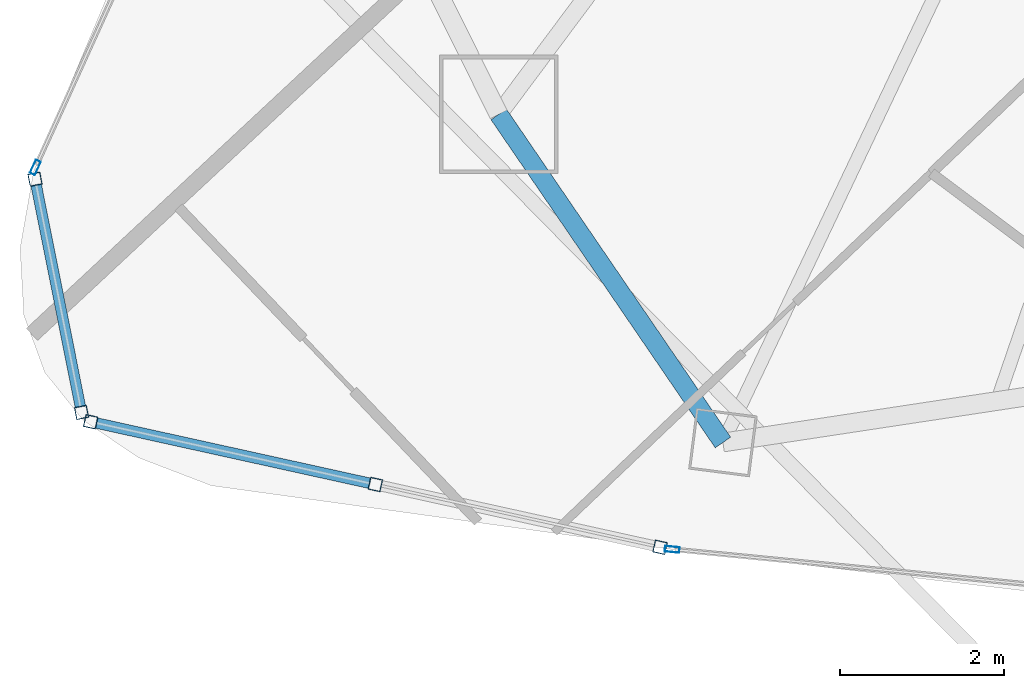
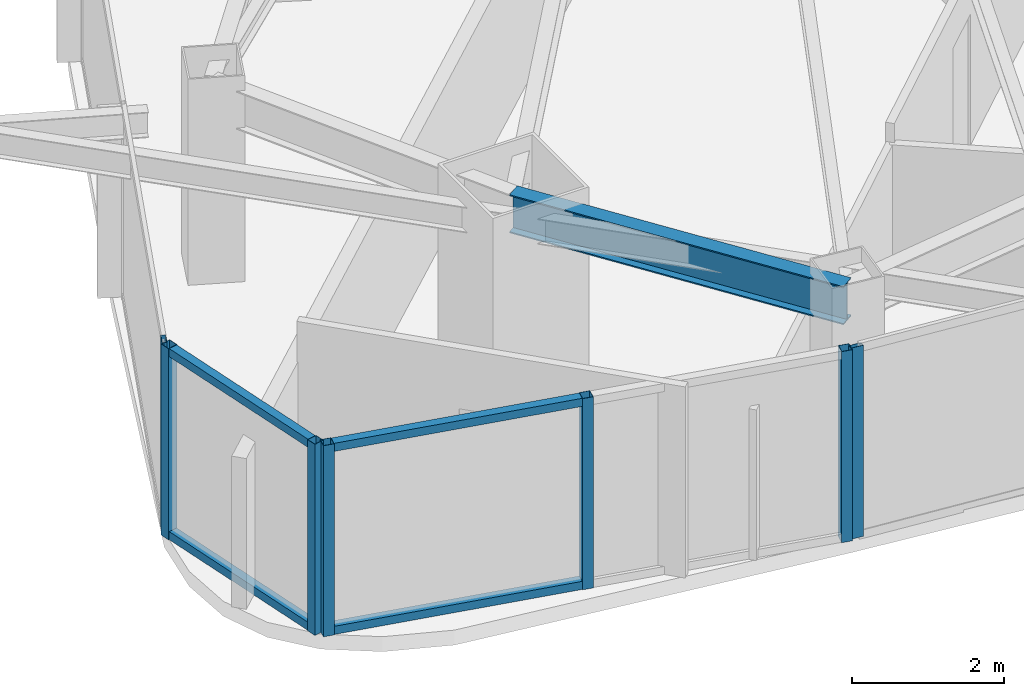
# One storey, part 2 of 29: 11 members, 1 beam, 4 elements without a shape of their own.
"""IFC4 building model written with IfcOpenShell, lengths in metres."""

import ifcopenshell
import ifcopenshell.guid

model = None  # the IFC model being written
_history = None  # IfcOwnerHistory: only IFC2X3 demands one
_inside = {}  # id of a spatial element -> (the spatial element, [elements in it])
_under = {}  # id of a project, library or spatial element -> (it, [spatial elements below it])
_declared = {}  # id of a project -> (the project, [libraries it declares])
_typed = {}  # id of a type object -> (the type object, [elements of that type])
_made_of = {}  # id of a material, layer set ... -> (it, [elements and type objects made of it])


def new_model(schema):
    """Start an empty IFC model of exactly this schema.

    Asked for "IFC4X3", IfcOpenShell would pick the latest addendum, in which some entities
    have other attributes; the version numbers below select the first issue.
    IFC2X3 requires an IfcOwnerHistory on every rooted entity: one is made here for all.
    """
    global model, _history
    if schema == "IFC4X3":
        model = ifcopenshell.file(schema_version=(4, 3, 0, 0))
    else:
        model = ifcopenshell.file(schema=schema)
    _inside.clear()
    _under.clear()
    _declared.clear()
    _typed.clear()
    _made_of.clear()
    _history = None
    if model.schema == "IFC2X3":
        org = make("IfcOrganization", Name="unknown")
        user = make(
            "IfcPersonAndOrganization",
            ThePerson=make("IfcPerson", FamilyName="unknown"),
            TheOrganization=org,
        )
        app = make(
            "IfcApplication",
            ApplicationDeveloper=org,
            Version="unknown",
            ApplicationFullName="unknown",
            ApplicationIdentifier="unknown",
        )
        _history = make(
            "IfcOwnerHistory",
            OwningUser=user,
            OwningApplication=app,
            ChangeAction="ADDED",
            CreationDate=0,
        )
    return model


def make(cls, **values):
    """One entity of the class cls with the attributes given. An attribute that is None is left unset."""
    return model.create_entity(
        cls, **{name: value for name, value in values.items() if value is not None}
    )


def rooted(cls, **values):
    """An entity with a GlobalId (a new one), such as an element, a storey or a relation."""
    return make(cls, GlobalId=ifcopenshell.guid.new(), OwnerHistory=_history, **values)


def si_unit(unit_type, name, prefix=None):
    """IfcSIUnit, for example si_unit("LENGTHUNIT", "METRE", prefix="MILLI")."""
    return make("IfcSIUnit", UnitType=unit_type, Prefix=prefix, Name=name)


def assignment(units):
    """IfcUnitAssignment: the units of a project."""
    return None if units is None else make("IfcUnitAssignment", Units=units)


def point(xyz):
    """IfcCartesianPoint."""
    return None if xyz is None else make("IfcCartesianPoint", Coordinates=xyz)


def direction(xyz):
    """IfcDirection."""
    return None if xyz is None else make("IfcDirection", DirectionRatios=xyz)


def frame(location, z_axis=None, x_axis=None):
    """IfcAxis2Placement3D, a coordinate frame: its origin and axes. An axis left out is left unset."""
    return make(
        "IfcAxis2Placement3D",
        Location=point(location),
        Axis=direction(z_axis),
        RefDirection=direction(x_axis),
    )


def frame_2d(location, x_axis=None):
    """IfcAxis2Placement2D, a coordinate frame in the plane: its origin and x axis."""
    return make(
        "IfcAxis2Placement2D", Location=point(location), RefDirection=direction(x_axis)
    )


def origin():
    """The frame at (0, 0, 0) with its axes left unset."""
    return frame((0.0, 0.0, 0.0))


def origin_2d():
    """The frame at (0, 0) in the plane with its x axis left unset."""
    return frame_2d((0.0, 0.0))


def place(relative_to, where):
    """IfcLocalPlacement: puts the frame where relative to a parent placement (None: the world)."""
    return make(
        "IfcLocalPlacement", PlacementRelTo=relative_to, RelativePlacement=where
    )


def context(
    kind, dimensions, precision=None, world=None, true_north=None, identifier=None
):
    """IfcGeometricRepresentationContext, for example the 3D "Model" context."""
    return make(
        "IfcGeometricRepresentationContext",
        ContextIdentifier=identifier,
        ContextType=kind,
        CoordinateSpaceDimension=dimensions,
        Precision=precision,
        WorldCoordinateSystem=world,
        TrueNorth=true_north,
    )


def subcontext(parent, identifier, kind, view, scale=None):
    """IfcGeometricRepresentationSubContext, for example "Body" below "Model"."""
    return make(
        "IfcGeometricRepresentationSubContext",
        ContextIdentifier=identifier,
        ContextType=kind,
        ParentContext=parent,
        TargetScale=scale,
        TargetView=view,
    )


def project(units=None, contexts=None):
    """IfcProject with its units and contexts."""
    return rooted(
        "IfcProject",
        Name="project",
        RepresentationContexts=contexts,
        UnitsInContext=assignment(units),
    )


def spatial(cls, under=None, at=None, **own):
    """A site, building, storey or space (cls), placed at a placement, below another one or the project."""
    s = rooted(cls, ObjectPlacement=at, **own)
    if under is not None:
        _under.setdefault(under.id(), (under, []))[1].append(s)
    return s


def profile(cls, at=None, kind="AREA", **sizes):
    """A parametric profile (cls). Its sizes go by their IFC names, for example OverallWidth=200.0."""
    return make(cls, ProfileType=kind, Position=at, **sizes)


def hollow_rectangle(**sizes):
    """IfcRectangleHollowProfileDef."""
    return profile("IfcRectangleHollowProfileDef", **sizes)


def i_section(**sizes):
    """IfcIShapeProfileDef."""
    return profile("IfcIShapeProfileDef", **sizes)


def extrude(swept, where, along, depth):
    """IfcExtrudedAreaSolid: the profile swept, set in the frame where, extruded along a direction by depth."""
    return make(
        "IfcExtrudedAreaSolid",
        SweptArea=swept,
        Position=where,
        ExtrudedDirection=direction(along),
        Depth=depth,
    )


def shape(context_of_items, identifier, shape_type, items):
    """IfcShapeRepresentation: the items that make up one representation, for example the "Body"."""
    return make(
        "IfcShapeRepresentation",
        ContextOfItems=context_of_items,
        RepresentationIdentifier=identifier,
        RepresentationType=shape_type,
        Items=items,
    )


def material(Name=None, Category=None):
    """IfcMaterial."""
    return make("IfcMaterial", Name=Name, Category=Category)


def layer(
    of_material, thickness, ventilated=None, Name=None, Category=None, Priority=None
):
    """IfcMaterialLayer: one layer of a wall or slab, of a material (None: an air gap)."""
    return make(
        "IfcMaterialLayer",
        Material=of_material,
        LayerThickness=thickness,
        IsVentilated=ventilated,
        Name=Name,
        Category=Category,
        Priority=Priority,
    )


def layer_set(layers, Name=None):
    """IfcMaterialLayerSet."""
    return make("IfcMaterialLayerSet", MaterialLayers=layers, LayerSetName=Name)


def material_profile(
    of_material, cross_section, Name=None, Category=None, Priority=None
):
    """IfcMaterialProfile: a cross section and its material."""
    return make(
        "IfcMaterialProfile",
        Name=Name,
        Material=of_material,
        Profile=cross_section,
        Priority=Priority,
        Category=Category,
    )


def profile_set(profiles, Name=None, composite=None):
    """IfcMaterialProfileSet."""
    return make(
        "IfcMaterialProfileSet",
        Name=Name,
        MaterialProfiles=profiles,
        CompositeProfile=composite,
    )


def made_of(thing, what):
    """Note that an element or type object is made of a material, layer set ...; save() writes the relation."""
    if what is not None:
        _made_of.setdefault(what.id(), (what, []))[1].append(thing)
    return thing


def type_object(cls, material=None, **own):
    """A type object (cls), such as IfcWallType, which elements share."""
    return made_of(rooted(cls, **own), material)


def element(
    cls,
    number,
    at=None,
    inside=None,
    cuts=None,
    type_object=None,
    material=None,
    context=None,
    identifier="Body",
    shape_type=None,
    held_by="IfcProductDefinitionShape",
    body=None,
    shapes=None,
    **own,
):
    """One element of the class cls, such as IfcWall. Its Tag is "e" and its number.

    at: its placement. inside: the storey or other place that contains it. cuts: it is an
    opening in that element (IfcRelVoidsElement). A single representation is given by context,
    identifier, shape_type and body (its items); several are given by shapes. held_by: the class
    of the entity that holds the representations. save() writes the other relations.
    """
    e = rooted(cls, Tag="e%d" % number, ObjectPlacement=at, **own)
    if body is not None:
        shapes = [shape(context, identifier, shape_type, body)]
    if shapes is not None:
        e.Representation = make(held_by, Representations=shapes)
    if inside is not None:
        _inside.setdefault(inside.id(), (inside, []))[1].append(e)
    if cuts is not None:
        rooted(
            "IfcRelVoidsElement", RelatingBuildingElement=cuts, RelatedOpeningElement=e
        )
    if type_object is not None:
        _typed.setdefault(type_object.id(), (type_object, []))[1].append(e)
    return made_of(e, material)


def aggregate(whole, parts):
    """IfcRelAggregates: a whole, such as a stair, and the parts it consists of."""
    return rooted("IfcRelAggregates", RelatingObject=whole, RelatedObjects=parts)


def save(model, path):
    """Write the relations noted so far, then the file.

    IfcRelAggregates (storeys below a building ...), IfcRelContainedInSpatialStructure (elements
    in a storey), IfcRelDefinesByType, IfcRelAssociatesMaterial and IfcRelDeclares: one each for
    every whole, place, type object, material and project.
    """
    for whole, parts in _under.values():
        aggregate(whole, parts)
    for where, things in _inside.values():
        rooted(
            "IfcRelContainedInSpatialStructure",
            RelatedElements=things,
            RelatingStructure=where,
        )
    for kind, things in _typed.values():
        rooted("IfcRelDefinesByType", RelatedObjects=things, RelatingType=kind)
    for what, things in _made_of.values():
        rooted("IfcRelAssociatesMaterial", RelatedObjects=things, RelatingMaterial=what)
    for by, libraries in _declared.values():
        rooted("IfcRelDeclares", RelatingContext=by, RelatedDefinitions=libraries)
    model.write(path)


model = new_model("IFC4")

# Units and contexts
model_context = context("Model", 3, precision=1e-05, world=origin(), true_north=direction((0.0, 1.0)))
body_context = subcontext(model_context, "Body", "Model", "MODEL_VIEW")
ifc_project = project(units=[si_unit("LENGTHUNIT", "METRE"), si_unit("AREAUNIT", "SQUARE_METRE"), si_unit("VOLUMEUNIT", "CUBIC_METRE"), si_unit("PLANEANGLEUNIT", "RADIAN"), si_unit("MASSUNIT", "GRAM", prefix="KILO")], contexts=[model_context])

# Site, building, storey
site_placement = place(None, origin())
site = spatial("IfcSite", under=ifc_project, at=site_placement, CompositionType="ELEMENT")
building_placement = place(site_placement, origin())
building = spatial("IfcBuilding", under=site, at=building_placement, Name="Orvanel Arch Residences", CompositionType="ELEMENT")
storey_placement = place(building_placement, frame((0.0, 0.0, 170.449951171875)))
storey = spatial("IfcBuildingStorey", under=building, at=storey_placement, Name="L48", CompositionType="ELEMENT", Elevation=170.449951171875)

# Curtain wall, members
ifc_material_1 = material(Name="Bronze-anodised aluminium AA6063-T6", Category="aluminium")
ifc_layer_1 = layer(ifc_material_1, 0.18994140625)
ifc_layer_set_1 = layer_set([ifc_layer_1], Name="Bronze-anodised aluminium AA6063-T6")
curtain_wall_type_1 = type_object("IfcCurtainWallType", Name="CW5-CRN-SYS", PredefinedType="NOTDEFINED", material=ifc_layer_set_1)
curtain_wall_1_placement = place(storey_placement, origin())
curtain_wall_1 = element("IfcCurtainWall", 1, at=curtain_wall_1_placement, inside=storey, type_object=curtain_wall_type_1, Name="L48 CW5-CRN-SYS Unitised Curtain Wall", PredefinedType="NOTDEFINED")
ifc_material_profile_1 = material_profile(ifc_material_1, hollow_rectangle(XDim=0.14990234375, YDim=0.14990234375, WallThickness=0.0048828125, at=origin_2d()), Name="ALU150x150x5")
ifc_profile_set_1 = profile_set([ifc_material_profile_1], Name="Bronze-anodised aluminium AA6063-T6")
member_type_1 = type_object("IfcMemberType", Name="MUL-150x150", PredefinedType="MULLION", material=ifc_profile_set_1)
member_1_placement = place(storey_placement, frame((8.52978515625, 9.558349609375, 0.0), z_axis=(0.0, 0.0, 1.0), x_axis=(0.980693707054, 0.19555012898, 0.0)))
member_1 = element("IfcMember", 2, at=member_1_placement, type_object=member_type_1, Name="CW-S5 mullion 1", PredefinedType="MULLION", context=body_context, shape_type="SweptSolid", body=[
    extrude(hollow_rectangle(XDim=0.14990234375, YDim=0.14990234375, WallThickness=0.0048828125, at=origin_2d()), origin(), (0.0, 0.0, 1.0), 3.06005859375),
])
member_2_placement = place(storey_placement, frame((9.098388671875, 6.70654296875, 0.0), z_axis=(0.0, 0.0, 1.0), x_axis=(0.980693707054, 0.19555012898, 0.0)))
member_2 = element("IfcMember", 3, at=member_2_placement, type_object=member_type_1, Name="CW-S5 mullion 2", PredefinedType="MULLION", context=body_context, shape_type="SweptSolid", body=[
    extrude(hollow_rectangle(XDim=0.14990234375, YDim=0.14990234375, WallThickness=0.0048828125, at=origin_2d()), origin(), (0.0, 0.0, 1.0), 3.06005859375),
])

curtain_wall_2_placement = place(storey_placement, origin())
curtain_wall_2 = element("IfcCurtainWall", 4, at=curtain_wall_2_placement, inside=storey, type_object=curtain_wall_type_1, Name="L48 CW5-CRN-SYS Unitised Curtain Wall", PredefinedType="NOTDEFINED")
member_3_placement = place(storey_placement, frame((9.210205078125, 6.5927734375, 0.0), z_axis=(0.0, 0.0, 1.0), x_axis=(0.2152863482, 0.97655096553, 0.0)))
member_3 = element("IfcMember", 5, at=member_3_placement, type_object=member_type_1, Name="CW-S5 mullion 1", PredefinedType="MULLION", context=body_context, shape_type="SweptSolid", body=[
    extrude(hollow_rectangle(XDim=0.14990234375, YDim=0.14990234375, WallThickness=0.0048828125, at=origin_2d()), origin(), (0.0, 0.0, 1.0), 3.06005859375),
])
member_4_placement = place(storey_placement, frame((12.69091796875, 5.825439453125, 0.0), z_axis=(0.0, 0.0, 1.0), x_axis=(0.2152863482, 0.97655096553, 0.0)))
member_4 = element("IfcMember", 6, at=member_4_placement, type_object=member_type_1, Name="CW-S5 mullion 2", PredefinedType="MULLION", context=body_context, shape_type="SweptSolid", body=[
    extrude(hollow_rectangle(XDim=0.14990234375, YDim=0.14990234375, WallThickness=0.0048828125, at=origin_2d()), origin(), (0.0, 0.0, 1.0), 3.06005859375),
])
member_5_placement = place(storey_placement, frame((16.171875, 5.05810546875, 0.0), z_axis=(0.0, 0.0, 1.0), x_axis=(0.2152863482, 0.97655096553, 0.0)))
member_5 = element("IfcMember", 7, at=member_5_placement, type_object=member_type_1, Name="CW-S5 mullion 3", PredefinedType="MULLION", context=body_context, shape_type="SweptSolid", body=[
    extrude(hollow_rectangle(XDim=0.14990234375, YDim=0.14990234375, WallThickness=0.0048828125, at=origin_2d()), origin(), (0.0, 0.0, 1.0), 3.06005859375),
])

# Curtain wall, member
ifc_layer_2 = layer(ifc_material_1, 0.179931640625)
ifc_layer_set_2 = layer_set([ifc_layer_2], Name="Bronze-anodised aluminium AA6063-T6")
curtain_wall_type_2 = type_object("IfcCurtainWallType", Name="CW3-MID-SYS", PredefinedType="NOTDEFINED", material=ifc_layer_set_2)
curtain_wall_3_placement = place(storey_placement, origin())
curtain_wall_3 = element("IfcCurtainWall", 8, at=curtain_wall_3_placement, inside=storey, type_object=curtain_wall_type_2, Name="L48 CW3-MID-SYS Unitised Curtain Wall", PredefinedType="NOTDEFINED")
ifc_material_profile_2 = material_profile(ifc_material_1, hollow_rectangle(XDim=0.070068359375, YDim=0.179931640625, WallThickness=0.00439453125, at=origin_2d()), Name="ALU180x70x4.5")
ifc_profile_set_2 = profile_set([ifc_material_profile_2], Name="Bronze-anodised aluminium AA6063-T6")
member_type_2 = type_object("IfcMemberType", Name="MUL-180x70", PredefinedType="MULLION", material=ifc_profile_set_2)
member_6_placement = place(storey_placement, frame((8.533447265625, 9.701904296875, 0.0), z_axis=(0.0, 0.0, 1.0), x_axis=(0.910855054441, -0.412726386119, 0.0)))
member_6 = element("IfcMember", 9, at=member_6_placement, type_object=member_type_2, Name="CW-S3 mullion 4", PredefinedType="MULLION", context=body_context, shape_type="SweptSolid", body=[
    extrude(hollow_rectangle(XDim=0.070068359375, YDim=0.179931640625, WallThickness=0.00439453125, at=origin_2d()), origin(), (0.0, 0.0, 1.0), 3.06005859375),
])
aggregate(curtain_wall_3, [member_6])

curtain_wall_4_placement = place(storey_placement, origin())
curtain_wall_4 = element("IfcCurtainWall", 10, at=curtain_wall_4_placement, inside=storey, type_object=curtain_wall_type_2, Name="L48 CW3-MID-SYS Unitised Curtain Wall", PredefinedType="NOTDEFINED")
member_7_placement = place(storey_placement, frame((16.31982421875, 5.032470703125, 0.0), z_axis=(0.0, 0.0, 1.0), x_axis=(0.097491445455, 0.995236362912, 0.0)))
member_7 = element("IfcMember", 11, at=member_7_placement, type_object=member_type_2, Name="CW-S3 mullion 1", PredefinedType="MULLION", context=body_context, shape_type="SweptSolid", body=[
    extrude(hollow_rectangle(XDim=0.070068359375, YDim=0.179931640625, WallThickness=0.00439453125, at=origin_2d()), origin(), (0.0, 0.0, 1.0), 3.06005859375),
])
aggregate(curtain_wall_4, [member_7])

# Beam
ifc_material_2 = material(Name="Structural steel AS/NZS 3679.1 Grade 300 (300 MPa)", Category="steel")
ifc_material_profile_3 = material_profile(ifc_material_2, i_section(OverallWidth=0.22900390625, OverallDepth=0.612060546875, WebThickness=0.011962890625, FlangeThickness=0.01953125, at=origin_2d()), Name="610UB125")
ifc_profile_set_3 = profile_set([ifc_material_profile_3], Name="Structural steel AS/NZS 3679.1 Grade 300 (300 MPa)")
beam_type = type_object("IfcBeamType", Name="SP-610UB", PredefinedType="SPANDREL", material=ifc_profile_set_3)
beam_placement = place(storey_placement, frame((14.198974609375, 10.35107421875, 2.754150390625), z_axis=(0.564251579852, -0.825602903722, 0.0), x_axis=(0.825602903722, 0.564251579852, 0.0)))
element("IfcBeam", 12, at=beam_placement, inside=storey, type_object=beam_type, Name="L48 Perimeter Spandrel Beam 03", PredefinedType="SPANDREL", context=body_context, shape_type="SweptSolid", body=[
    extrude(i_section(OverallWidth=0.22900390625, OverallDepth=0.612060546875, WebThickness=0.011962890625, FlangeThickness=0.01953125, at=origin_2d()), origin(), (0.0, 0.0, 1.0), 4.859375),
])

# Member
ifc_material_profile_4 = material_profile(ifc_material_1, hollow_rectangle(XDim=0.1298828125, YDim=0.1298828125, WallThickness=0.00439453125, at=origin_2d()), Name="ALU130x130x4.5")
ifc_profile_set_4 = profile_set([ifc_material_profile_4], Name="Bronze-anodised aluminium AA6063-T6")
member_type_3 = type_object("IfcMemberType", Name="TRN-130x130", PredefinedType="USERDEFINED", material=ifc_profile_set_4)
member_8_placement = place(storey_placement, frame((8.54443359375, 9.48486328125, 0.06494140625), z_axis=(0.195537326288, -0.980696259822, 0.0), x_axis=(0.980696259822, 0.195537326288, 0.0)))
member_8 = element("IfcMember", 13, at=member_8_placement, type_object=member_type_3, Name="CW-S5 transom 1.1", ObjectType="TRANSOM", PredefinedType="USERDEFINED", context=body_context, shape_type="SweptSolid", body=[
    extrude(hollow_rectangle(XDim=0.1298828125, YDim=0.1298828125, WallThickness=0.00439453125, at=origin_2d()), origin(), (0.0, 0.0, 1.0), 2.758056640625),
])

member_9_placement = place(storey_placement, frame((8.54443359375, 9.48486328125, 2.9951171875), z_axis=(0.195537326288, -0.980696259822, 0.0), x_axis=(0.980696259822, 0.195537326288, 0.0)))
member_9 = element("IfcMember", 14, at=member_9_placement, type_object=member_type_3, Name="CW-S5 transom 1.2", ObjectType="TRANSOM", PredefinedType="USERDEFINED", context=body_context, shape_type="SweptSolid", body=[
    extrude(hollow_rectangle(XDim=0.1298828125, YDim=0.1298828125, WallThickness=0.00439453125, at=origin_2d()), origin(), (0.0, 0.0, 1.0), 2.758056640625),
])

aggregate(curtain_wall_1, [member_1, member_2, member_8, member_9])

member_10_placement = place(storey_placement, frame((9.283447265625, 6.57666015625, 0.06494140625), z_axis=(0.976547435533, -0.215302359844, 0.0), x_axis=(0.215302359844, 0.976547435533, 0.0)))
member_10 = element("IfcMember", 15, at=member_10_placement, type_object=member_type_3, Name="CW-S5 transom 1.1", ObjectType="TRANSOM", PredefinedType="USERDEFINED", context=body_context, shape_type="SweptSolid", body=[
    extrude(hollow_rectangle(XDim=0.1298828125, YDim=0.1298828125, WallThickness=0.00439453125, at=origin_2d()), origin(), (0.0, 0.0, 1.0), 3.414306640625),
])

member_11_placement = place(storey_placement, frame((9.283447265625, 6.57666015625, 2.9951171875), z_axis=(0.976547435533, -0.215302359844, 0.0), x_axis=(0.215302359844, 0.976547435533, 0.0)))
member_11 = element("IfcMember", 16, at=member_11_placement, type_object=member_type_3, Name="CW-S5 transom 1.2", ObjectType="TRANSOM", PredefinedType="USERDEFINED", context=body_context, shape_type="SweptSolid", body=[
    extrude(hollow_rectangle(XDim=0.1298828125, YDim=0.1298828125, WallThickness=0.00439453125, at=origin_2d()), origin(), (0.0, 0.0, 1.0), 3.414306640625),
])

aggregate(curtain_wall_2, [member_3, member_4, member_5, member_10, member_11])

save(model, "model.ifc")
